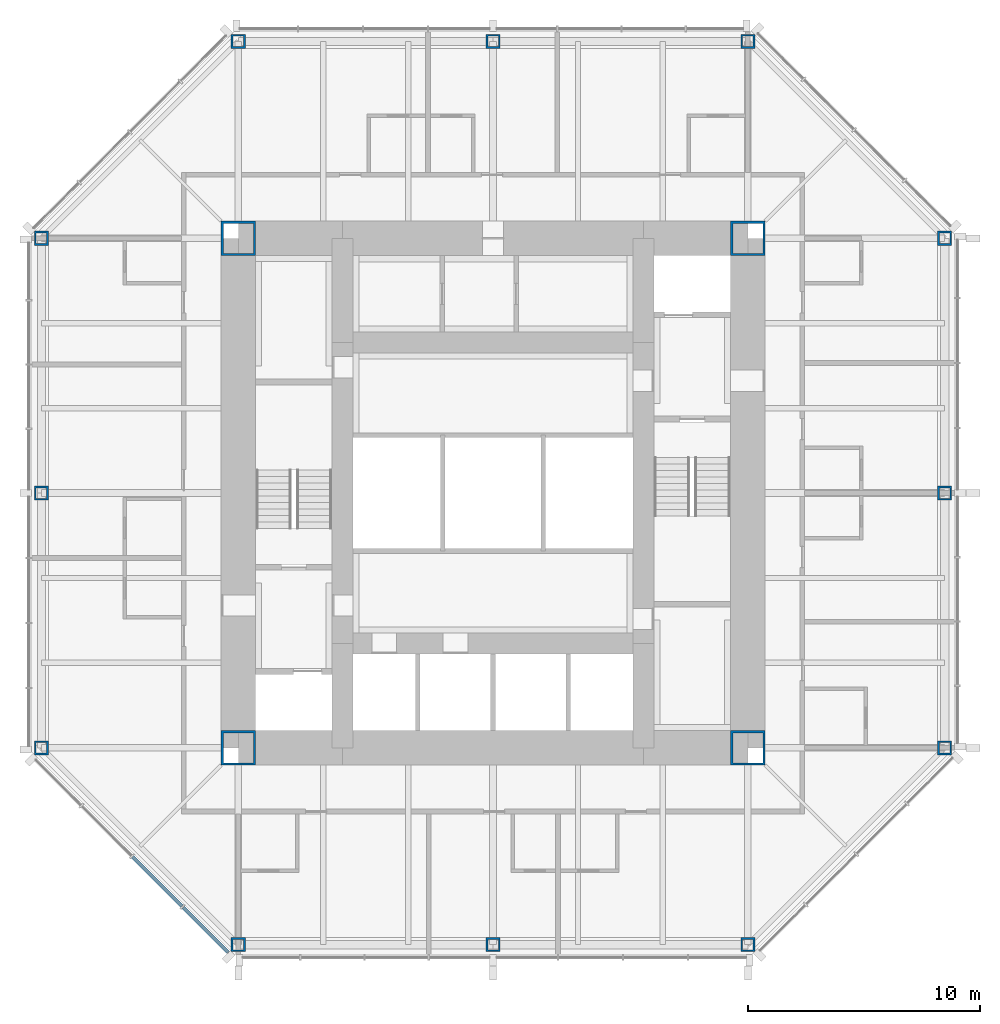
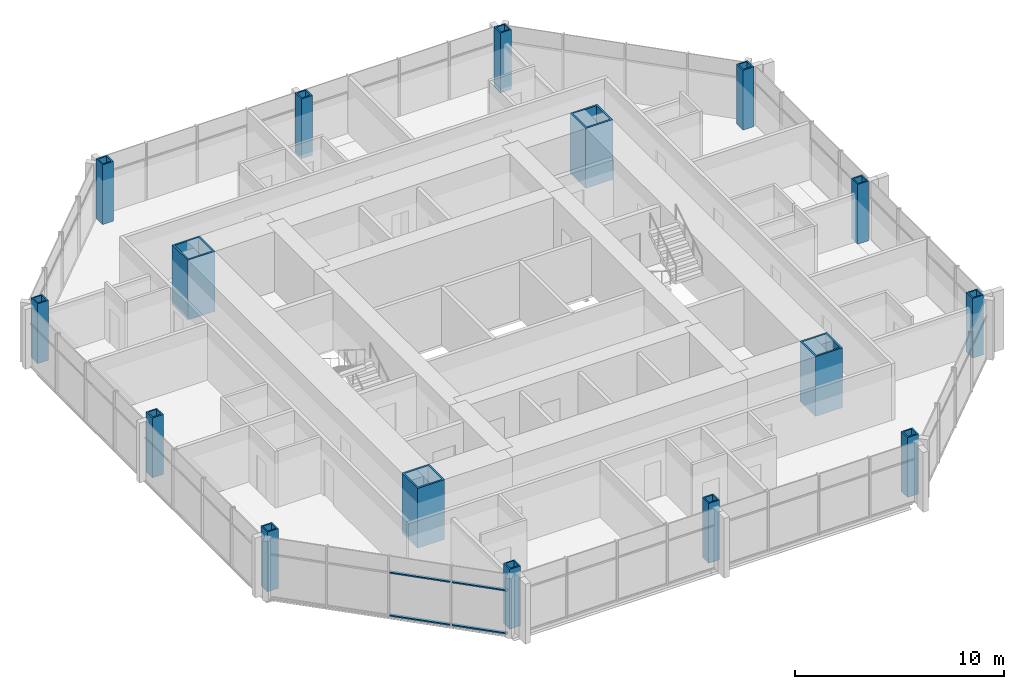
# One storey, part 1 of 11: 16 columns, 4 members, 1 element without a shape of its own.
"""IFC4 building model written with IfcOpenShell, lengths in metres."""

from ifc_helpers import new_model, si_unit, direction, frame, origin, origin_2d, place, context, subcontext, project, spatial, rectangle, hollow_rectangle, extrude, material, material_profile, profile_set, type_object, element, aggregate, save


model = new_model("IFC4")

# Units and contexts
model_context = context("Model", 3, precision=1e-05, world=origin(), true_north=direction((0.0, 1.0)))
body_context = subcontext(model_context, "Body", "Model", "MODEL_VIEW")
ifc_project = project(units=[si_unit("LENGTHUNIT", "METRE"), si_unit("AREAUNIT", "SQUARE_METRE"), si_unit("VOLUMEUNIT", "CUBIC_METRE"), si_unit("PLANEANGLEUNIT", "RADIAN"), si_unit("MASSUNIT", "GRAM", prefix="KILO")], contexts=[model_context])

# Site, building, storey
site_placement = place(None, origin())
site = spatial("IfcSite", under=ifc_project, at=site_placement, CompositionType="ELEMENT")
building_placement = place(site_placement, origin())
building = spatial("IfcBuilding", under=site, at=building_placement, Name="Trevanion Tower", CompositionType="ELEMENT")
storey_placement = place(building_placement, frame((0.0, 0.0, 215.199951171875)))
storey = spatial("IfcBuildingStorey", under=building, at=storey_placement, Name="L51", CompositionType="ELEMENT", Elevation=215.199951171875)

# Columns
ifc_material_1 = material(Name="Steel ASTM A572 Grade 50", Category="steel")
ifc_material_profile_1 = material_profile(ifc_material_1, hollow_rectangle(XDim=0.609619140625, YDim=0.609619140625, WallThickness=0.076171875, at=origin_2d()), Name="BOX24X24X3")
ifc_profile_set_1 = profile_set([ifc_material_profile_1], Name="Steel ASTM A572 Grade 50")
column_type_1 = type_object("IfcColumnType", Name="C5 BOX24X24X3", PredefinedType="COLUMN", material=ifc_profile_set_1)
for number, where, z_axis, x_axis, name in (
    (1, (-19.5, 0.0, 0.0), (0.0, 0.0, 1.0), (0.0, 1.0, 0.0), "C5 5/H L51"),
    (2, (-19.5, -11.0, 0.0), (0.0, 0.0, 1.0), (0.0, 1.0, 0.0), "C5 5/F L51"),
    (3, (-11.0, -19.5, 0.0), (0.0, 0.0, 1.0), (1.0, 0.0, 0.0), "C5 8/C L51"),
    (4, (0.0, -19.5, 0.0), (0.0, 0.0, 1.0), (1.0, 0.0, 0.0), "C5 10/C L51"),
    (5, (11.0, -19.5, 0.0), (0.0, 0.0, 1.0), (1.0, 0.0, 0.0), "C5 12/C L51"),
    (6, (19.5, -11.0, 0.0), (0.0, 0.0, 1.0), (0.0, 1.0, 0.0), "C5 15/F L51"),
    (7, (19.5, 0.0, 0.0), (0.0, 0.0, 1.0), (0.0, 1.0, 0.0), "C5 15/H L51"),
    (8, (19.5, 11.0, 0.0), (0.0, 0.0, 1.0), (0.0, 1.0, 0.0), "C5 15/K L51"),
    (9, (11.0, 19.5, 0.0), (0.0, 0.0, 1.0), (1.0, 0.0, 0.0), "C5 12/N L51"),
    (10, (0.0, 19.5, 0.0), (0.0, 0.0, 1.0), (1.0, 0.0, 0.0), "C5 10/N L51"),
    (11, (-11.0, 19.5, 0.0), (0.0, 0.0, 1.0), (1.0, 0.0, 0.0), "C5 8/N L51"),
    (12, (-19.5, 11.0, 0.0), (0.0, 0.0, 1.0), (0.0, 1.0, 0.0), "C5 5/K L51"),
):
    element("IfcColumn", number, at=place(storey_placement, frame(where, z_axis=z_axis, x_axis=x_axis)), inside=storey, type_object=column_type_1, Name=name, PredefinedType="COLUMN", context=body_context, shape_type="SweptSolid", body=[
        extrude(hollow_rectangle(XDim=0.609619140625, YDim=0.609619140625, WallThickness=0.076171875, at=origin_2d()), origin(), (0.0, 0.0, 1.0), 3.5),
    ])
ifc_material_2 = material(Name="Steel ASTM A572 Grade 50", Category="steel")
ifc_material_profile_2 = material_profile(ifc_material_2, hollow_rectangle(XDim=1.49853515625, YDim=1.49853515625, WallThickness=0.1015625, at=origin_2d()), Name="BOX59X59X4")
ifc_profile_set_2 = profile_set([ifc_material_profile_2], Name="Steel ASTM A572 Grade 50")
column_type_2 = type_object("IfcColumnType", Name="CB1 BOX59X59X4", PredefinedType="COLUMN", material=ifc_profile_set_2)
for number, where, z_axis, x_axis, name in (
    (13, (11.0, 11.0, 0.0), (0.0, 0.0, 1.0), (1.0, 0.0, 0.0), "CB1 NE L51"),
    (14, (-11.0, 11.0, 0.0), (0.0, 0.0, 1.0), (1.0, 0.0, 0.0), "CB1 NW L51"),
    (15, (-11.0, -11.0, 0.0), (0.0, 0.0, 1.0), (1.0, 0.0, 0.0), "CB1 SW L51"),
    (16, (11.0, -11.0, 0.0), (0.0, 0.0, 1.0), (1.0, 0.0, 0.0), "CB1 SE L51"),
):
    element("IfcColumn", number, at=place(storey_placement, frame(where, z_axis=z_axis, x_axis=x_axis)), inside=storey, type_object=column_type_2, Name=name, PredefinedType="COLUMN", context=body_context, shape_type="SweptSolid", body=[
        extrude(hollow_rectangle(XDim=1.49853515625, YDim=1.49853515625, WallThickness=0.1015625, at=origin_2d()), origin(), (0.0, 0.0, 1.0), 3.5),
    ])

# Curtain wall, members
ifc_material_3 = material(Name="Aluminium and glass", Category="aluminium")
curtain_wall_type = type_object("IfcCurtainWallType", Name="CW3 curtain wall", PredefinedType="USERDEFINED", material=ifc_material_3)
curtain_wall_placement = place(storey_placement, origin())
curtain_wall = element("IfcCurtainWall", 17, at=curtain_wall_placement, inside=storey, type_object=curtain_wall_type, Name="CW3 L51 5", ObjectType="UNITISED CURTAIN WALL", PredefinedType="USERDEFINED")
ifc_material_4 = material(Name="Aluminium extrusion, anodised bronze", Category="aluminium")
ifc_material_profile_3 = material_profile(ifc_material_4, rectangle(XDim=0.14990234375, YDim=0.074951171875, at=origin_2d()), Name="CW3 transom")
ifc_profile_set_3 = profile_set([ifc_material_profile_3], Name="Aluminium extrusion, anodised bronze")
member_type = type_object("IfcMemberType", Name="CW3 transom", PredefinedType="USERDEFINED", material=ifc_profile_set_3)
member_1_placement = place(storey_placement, frame((-15.56640625, -15.71142578125, -0.15234375), z_axis=(0.707106781187, -0.707106781187, 0.0), x_axis=(0.707106781187, 0.707106781187, 0.0)))
member_1 = element("IfcMember", 18, at=member_1_placement, type_object=member_type, Name="CW3 transom 3.1", ObjectType="TRANSOM", PredefinedType="USERDEFINED", context=body_context, shape_type="SweptSolid", body=[
    extrude(rectangle(XDim=0.14990234375, YDim=0.074951171875, at=origin_2d()), origin(), (0.0, 0.0, 1.0), 3.011474609375),
])
member_2_placement = place(storey_placement, frame((-15.56640625, -15.71142578125, 2.360107421875), z_axis=(0.707106781187, -0.707106781187, 0.0), x_axis=(0.707106781187, 0.707106781187, 0.0)))
member_2 = element("IfcMember", 19, at=member_2_placement, type_object=member_type, Name="CW3 transom 3.2", ObjectType="TRANSOM", PredefinedType="USERDEFINED", context=body_context, shape_type="SweptSolid", body=[
    extrude(rectangle(XDim=0.14990234375, YDim=0.074951171875, at=origin_2d()), origin(), (0.0, 0.0, 1.0), 3.011474609375),
])
member_3_placement = place(storey_placement, frame((-13.3837890625, -17.89404296875, -0.15234375), z_axis=(0.707106781187, -0.707106781187, 0.0), x_axis=(0.707106781187, 0.707106781187, 0.0)))
member_3 = element("IfcMember", 20, at=member_3_placement, type_object=member_type, Name="CW3 transom 4.1", ObjectType="TRANSOM", PredefinedType="USERDEFINED", context=body_context, shape_type="SweptSolid", body=[
    extrude(rectangle(XDim=0.14990234375, YDim=0.074951171875, at=origin_2d()), origin(), (0.0, 0.0, 1.0), 2.7490234375),
])
member_4_placement = place(storey_placement, frame((-13.3837890625, -17.89404296875, 2.360107421875), z_axis=(0.707106781187, -0.707106781187, 0.0), x_axis=(0.707106781187, 0.707106781187, 0.0)))
member_4 = element("IfcMember", 21, at=member_4_placement, type_object=member_type, Name="CW3 transom 4.2", ObjectType="TRANSOM", PredefinedType="USERDEFINED", context=body_context, shape_type="SweptSolid", body=[
    extrude(rectangle(XDim=0.14990234375, YDim=0.074951171875, at=origin_2d()), origin(), (0.0, 0.0, 1.0), 2.7490234375),
])
aggregate(curtain_wall, [member_1, member_2, member_3, member_4])

save(model, "model.ifc")
